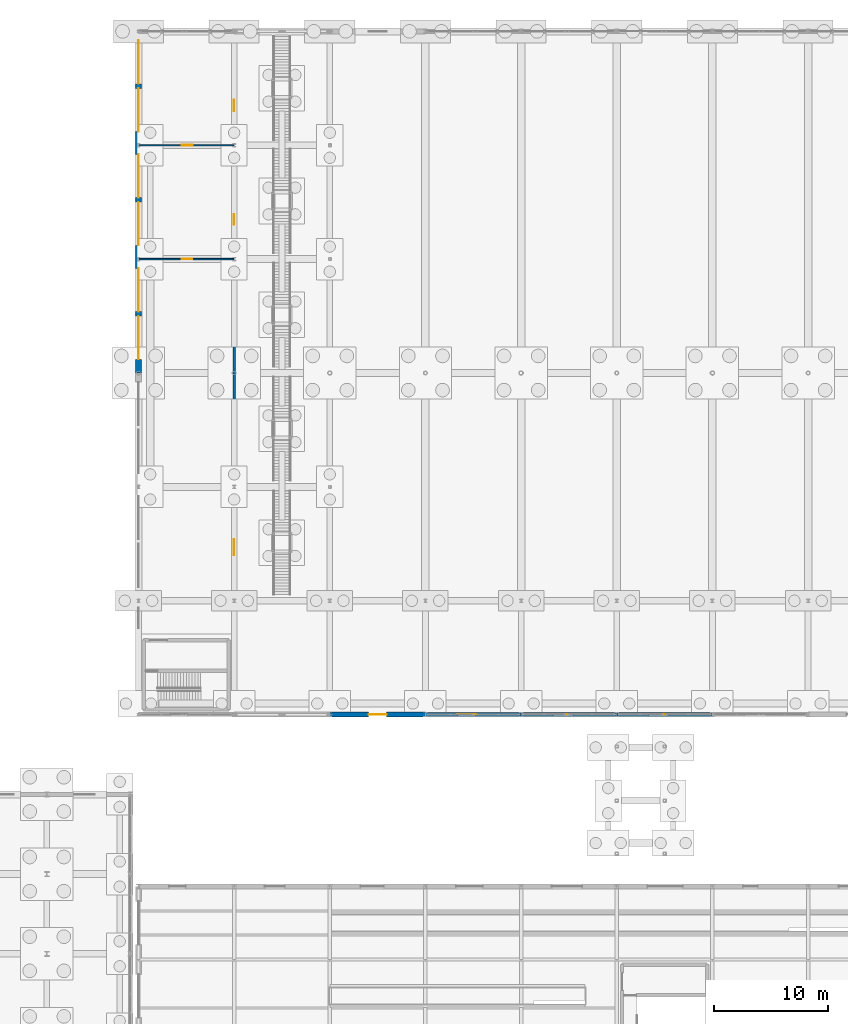
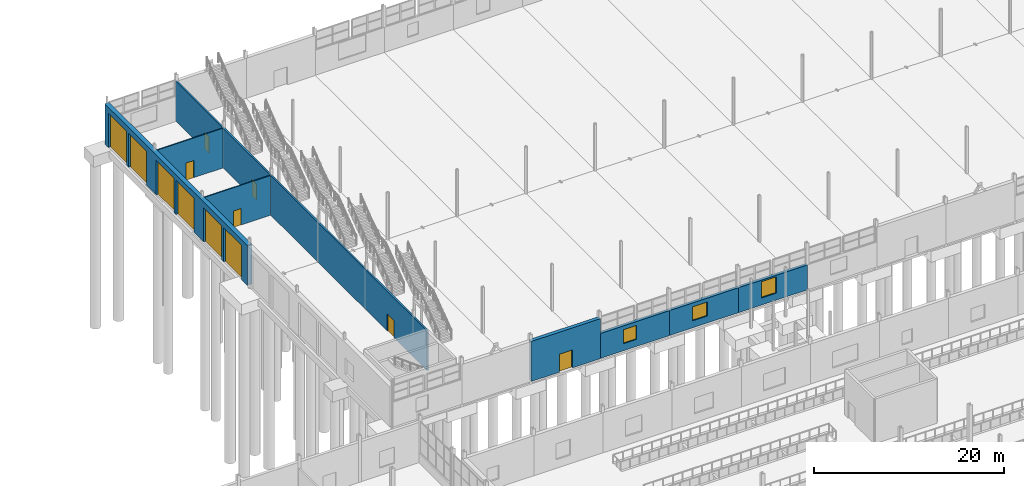
# One storey, part 125 of 139: 12 doors, 8 walls, 3 windows, 15 openings.
"""IFC4 building model written with IfcOpenShell, lengths in metres."""

import ifcopenshell
import ifcopenshell.guid

model = None  # the IFC model being written
_history = None  # IfcOwnerHistory: only IFC2X3 demands one
_inside = {}  # id of a spatial element -> (the spatial element, [elements in it])
_under = {}  # id of a project, library or spatial element -> (it, [spatial elements below it])
_declared = {}  # id of a project -> (the project, [libraries it declares])
_typed = {}  # id of a type object -> (the type object, [elements of that type])
_made_of = {}  # id of a material, layer set ... -> (it, [elements and type objects made of it])


def new_model(schema):
    """Start an empty IFC model of exactly this schema.

    Asked for "IFC4X3", IfcOpenShell would pick the latest addendum, in which some entities
    have other attributes; the version numbers below select the first issue.
    IFC2X3 requires an IfcOwnerHistory on every rooted entity: one is made here for all.
    """
    global model, _history
    if schema == "IFC4X3":
        model = ifcopenshell.file(schema_version=(4, 3, 0, 0))
    else:
        model = ifcopenshell.file(schema=schema)
    _inside.clear()
    _under.clear()
    _declared.clear()
    _typed.clear()
    _made_of.clear()
    _history = None
    if model.schema == "IFC2X3":
        org = make("IfcOrganization", Name="unknown")
        user = make(
            "IfcPersonAndOrganization",
            ThePerson=make("IfcPerson", FamilyName="unknown"),
            TheOrganization=org,
        )
        app = make(
            "IfcApplication",
            ApplicationDeveloper=org,
            Version="unknown",
            ApplicationFullName="unknown",
            ApplicationIdentifier="unknown",
        )
        _history = make(
            "IfcOwnerHistory",
            OwningUser=user,
            OwningApplication=app,
            ChangeAction="ADDED",
            CreationDate=0,
        )
    return model


def make(cls, **values):
    """One entity of the class cls with the attributes given. An attribute that is None is left unset."""
    return model.create_entity(
        cls, **{name: value for name, value in values.items() if value is not None}
    )


def rooted(cls, **values):
    """An entity with a GlobalId (a new one), such as an element, a storey or a relation."""
    return make(cls, GlobalId=ifcopenshell.guid.new(), OwnerHistory=_history, **values)


def si_unit(unit_type, name, prefix=None):
    """IfcSIUnit, for example si_unit("LENGTHUNIT", "METRE", prefix="MILLI")."""
    return make("IfcSIUnit", UnitType=unit_type, Prefix=prefix, Name=name)


def assignment(units):
    """IfcUnitAssignment: the units of a project."""
    return None if units is None else make("IfcUnitAssignment", Units=units)


def point(xyz):
    """IfcCartesianPoint."""
    return None if xyz is None else make("IfcCartesianPoint", Coordinates=xyz)


def direction(xyz):
    """IfcDirection."""
    return None if xyz is None else make("IfcDirection", DirectionRatios=xyz)


def frame(location, z_axis=None, x_axis=None):
    """IfcAxis2Placement3D, a coordinate frame: its origin and axes. An axis left out is left unset."""
    return make(
        "IfcAxis2Placement3D",
        Location=point(location),
        Axis=direction(z_axis),
        RefDirection=direction(x_axis),
    )


def frame_2d(location, x_axis=None):
    """IfcAxis2Placement2D, a coordinate frame in the plane: its origin and x axis."""
    return make(
        "IfcAxis2Placement2D", Location=point(location), RefDirection=direction(x_axis)
    )


def origin():
    """The frame at (0, 0, 0) with its axes left unset."""
    return frame((0.0, 0.0, 0.0))


def place(relative_to, where):
    """IfcLocalPlacement: puts the frame where relative to a parent placement (None: the world)."""
    return make(
        "IfcLocalPlacement", PlacementRelTo=relative_to, RelativePlacement=where
    )


def context(
    kind, dimensions, precision=None, world=None, true_north=None, identifier=None
):
    """IfcGeometricRepresentationContext, for example the 3D "Model" context."""
    return make(
        "IfcGeometricRepresentationContext",
        ContextIdentifier=identifier,
        ContextType=kind,
        CoordinateSpaceDimension=dimensions,
        Precision=precision,
        WorldCoordinateSystem=world,
        TrueNorth=true_north,
    )


def subcontext(parent, identifier, kind, view, scale=None):
    """IfcGeometricRepresentationSubContext, for example "Body" below "Model"."""
    return make(
        "IfcGeometricRepresentationSubContext",
        ContextIdentifier=identifier,
        ContextType=kind,
        ParentContext=parent,
        TargetScale=scale,
        TargetView=view,
    )


def project(units=None, contexts=None):
    """IfcProject with its units and contexts."""
    return rooted(
        "IfcProject",
        Name="project",
        RepresentationContexts=contexts,
        UnitsInContext=assignment(units),
    )


def spatial(cls, under=None, at=None, **own):
    """A site, building, storey or space (cls), placed at a placement, below another one or the project."""
    s = rooted(cls, ObjectPlacement=at, **own)
    if under is not None:
        _under.setdefault(under.id(), (under, []))[1].append(s)
    return s


def profile(cls, at=None, kind="AREA", **sizes):
    """A parametric profile (cls). Its sizes go by their IFC names, for example OverallWidth=200.0."""
    return make(cls, ProfileType=kind, Position=at, **sizes)


def rectangle(**sizes):
    """IfcRectangleProfileDef."""
    return profile("IfcRectangleProfileDef", **sizes)


def extrude(swept, where, along, depth):
    """IfcExtrudedAreaSolid: the profile swept, set in the frame where, extruded along a direction by depth."""
    return make(
        "IfcExtrudedAreaSolid",
        SweptArea=swept,
        Position=where,
        ExtrudedDirection=direction(along),
        Depth=depth,
    )


def shape(context_of_items, identifier, shape_type, items):
    """IfcShapeRepresentation: the items that make up one representation, for example the "Body"."""
    return make(
        "IfcShapeRepresentation",
        ContextOfItems=context_of_items,
        RepresentationIdentifier=identifier,
        RepresentationType=shape_type,
        Items=items,
    )


def material(Name=None, Category=None):
    """IfcMaterial."""
    return make("IfcMaterial", Name=Name, Category=Category)


def layer(
    of_material, thickness, ventilated=None, Name=None, Category=None, Priority=None
):
    """IfcMaterialLayer: one layer of a wall or slab, of a material (None: an air gap)."""
    return make(
        "IfcMaterialLayer",
        Material=of_material,
        LayerThickness=thickness,
        IsVentilated=ventilated,
        Name=Name,
        Category=Category,
        Priority=Priority,
    )


def layer_set(layers, Name=None):
    """IfcMaterialLayerSet."""
    return make("IfcMaterialLayerSet", MaterialLayers=layers, LayerSetName=Name)


def made_of(thing, what):
    """Note that an element or type object is made of a material, layer set ...; save() writes the relation."""
    if what is not None:
        _made_of.setdefault(what.id(), (what, []))[1].append(thing)
    return thing


def type_object(cls, material=None, **own):
    """A type object (cls), such as IfcWallType, which elements share."""
    return made_of(rooted(cls, **own), material)


def element(
    cls,
    number,
    at=None,
    inside=None,
    cuts=None,
    type_object=None,
    material=None,
    context=None,
    identifier="Body",
    shape_type=None,
    held_by="IfcProductDefinitionShape",
    body=None,
    shapes=None,
    **own,
):
    """One element of the class cls, such as IfcWall. Its Tag is "e" and its number.

    at: its placement. inside: the storey or other place that contains it. cuts: it is an
    opening in that element (IfcRelVoidsElement). A single representation is given by context,
    identifier, shape_type and body (its items); several are given by shapes. held_by: the class
    of the entity that holds the representations. save() writes the other relations.
    """
    e = rooted(cls, Tag="e%d" % number, ObjectPlacement=at, **own)
    if body is not None:
        shapes = [shape(context, identifier, shape_type, body)]
    if shapes is not None:
        e.Representation = make(held_by, Representations=shapes)
    if inside is not None:
        _inside.setdefault(inside.id(), (inside, []))[1].append(e)
    if cuts is not None:
        rooted(
            "IfcRelVoidsElement", RelatingBuildingElement=cuts, RelatedOpeningElement=e
        )
    if type_object is not None:
        _typed.setdefault(type_object.id(), (type_object, []))[1].append(e)
    return made_of(e, material)


def fill(opening, filler):
    """IfcRelFillsElement: the door or window that sits in an opening."""
    return rooted(
        "IfcRelFillsElement",
        RelatingOpeningElement=opening,
        RelatedBuildingElement=filler,
    )


def aggregate(whole, parts):
    """IfcRelAggregates: a whole, such as a stair, and the parts it consists of."""
    return rooted("IfcRelAggregates", RelatingObject=whole, RelatedObjects=parts)


def save(model, path):
    """Write the relations noted so far, then the file.

    IfcRelAggregates (storeys below a building ...), IfcRelContainedInSpatialStructure (elements
    in a storey), IfcRelDefinesByType, IfcRelAssociatesMaterial and IfcRelDeclares: one each for
    every whole, place, type object, material and project.
    """
    for whole, parts in _under.values():
        aggregate(whole, parts)
    for where, things in _inside.values():
        rooted(
            "IfcRelContainedInSpatialStructure",
            RelatedElements=things,
            RelatingStructure=where,
        )
    for kind, things in _typed.values():
        rooted("IfcRelDefinesByType", RelatedObjects=things, RelatingType=kind)
    for what, things in _made_of.values():
        rooted("IfcRelAssociatesMaterial", RelatedObjects=things, RelatingMaterial=what)
    for by, libraries in _declared.values():
        rooted("IfcRelDeclares", RelatingContext=by, RelatedDefinitions=libraries)
    model.write(path)


model = new_model("IFC4")

# Units and contexts
model_context = context("Model", 3, precision=1e-05, world=origin(), true_north=direction((0.0, 1.0)))
body_context = subcontext(model_context, "Body", "Model", "MODEL_VIEW")
ifc_project = project(units=[si_unit("LENGTHUNIT", "METRE"), si_unit("AREAUNIT", "SQUARE_METRE"), si_unit("VOLUMEUNIT", "CUBIC_METRE"), si_unit("PLANEANGLEUNIT", "RADIAN"), si_unit("MASSUNIT", "GRAM", prefix="KILO")], contexts=[model_context])

# Site, building, storey
site_placement = place(None, origin())
site = spatial("IfcSite", under=ifc_project, at=site_placement, CompositionType="ELEMENT")
building_placement = place(site_placement, origin())
building = spatial("IfcBuilding", under=site, at=building_placement, Name="Kazenagashi Tramway Depot", CompositionType="ELEMENT")
storey_placement = place(building_placement, origin())
storey = spatial("IfcBuildingStorey", under=building, at=storey_placement, Name="L01", CompositionType="ELEMENT", Elevation=0.0)

# Wall, opening, door
ifc_material_1 = material(Name="Clay Brick Masonry JIS R 1250 Class 1 (20 MPa)", Category="masonry")
ifc_layer_1 = layer(ifc_material_1, 0.43)
ifc_layer_set_1 = layer_set([ifc_layer_1], Name="Clay Brick Masonry JIS R 1250 Class 1 (20 MPa)")
wall_type_1 = type_object("IfcWallType", Name="W-BK1", PredefinedType="SOLIDWALL", material=ifc_layer_set_1)
wall_1_placement = place(storey_placement, frame((61.6, 70.0, 0.0), z_axis=(0.0, 0.0, 1.0), x_axis=(1.0, 0.0, 0.0)))
wall_1 = element("IfcWall", 1, at=wall_1_placement, inside=storey, type_object=wall_type_1, Name="Exterior Brick Wall W-BK1 EWALL-0011", PredefinedType="SOLIDWALL", context=body_context, shape_type="SweptSolid", body=[
    extrude(rectangle(XDim=8.4, YDim=0.43, at=frame_2d((4.2, 0.0))), origin(), (0.0, 0.0, 1.0), 5.14),
])
opening_1_placement = place(wall_1_placement, frame((3.4, 0.0, 0.0)))
opening_1 = element("IfcOpeningElement", 2, at=opening_1_placement, cuts=wall_1, Name="Opening D-001", PredefinedType="OPENING", context=body_context, shape_type="SweptSolid", body=[
    extrude(rectangle(XDim=1.6, YDim=2.3, at=frame_2d((0.8, 1.15))), frame((0.0, 0.225, 0.0), z_axis=(0.0, -1.0, 0.0), x_axis=(1.0, 0.0, 0.0)), (0.0, 0.0, 1.0), 0.45),
])
ifc_material_2 = material(Name="Anodised Aluminium and Laminated Glass", Category="aluminium")
door_type_1 = type_object("IfcDoorType", Name="DT-02", OperationType="NOTDEFINED", PredefinedType="DOOR", material=ifc_material_2)
door_1_placement = place(opening_1_placement, frame((1.6, 0.0, 0.0), z_axis=(0.0, 0.0, 1.0), x_axis=(-1.0, 0.0, 0.0)))
door_1 = element("IfcDoor", 3, at=door_1_placement, inside=storey, type_object=door_type_1, Name="Stabling Shed Pedestrian Final Exit Door D-001", OperationType="DOUBLE_DOOR_SINGLE_SWING", OverallHeight=2.3, OverallWidth=1.6, PredefinedType="DOOR", context=body_context, shape_type="SweptSolid", body=[
    extrude(rectangle(XDim=1.6, YDim=2.3, at=frame_2d((0.8, 1.15))), frame((0.0, 0.025, 0.0), z_axis=(0.0, -1.0, 0.0), x_axis=(1.0, 0.0, 0.0)), (0.0, 0.0, 1.0), 0.05),
])
fill(opening_1, door_1)

# Wall, opening, window
ifc_layer_2 = layer(ifc_material_1, 0.36)
ifc_layer_set_2 = layer_set([ifc_layer_2], Name="Clay Brick Masonry JIS R 1250 Class 1 (20 MPa)")
wall_type_2 = type_object("IfcWallType", Name="W-BK2", PredefinedType="SOLIDWALL", material=ifc_layer_set_2)
wall_2_placement = place(storey_placement, frame((70.0, 70.0, 0.0), z_axis=(0.0, 0.0, 1.0), x_axis=(1.0, 0.0, 0.0)))
wall_2 = element("IfcWall", 4, at=wall_2_placement, inside=storey, type_object=wall_type_2, Name="Exterior Brick Wall W-BK2 EWALL-0012", PredefinedType="SOLIDWALL", context=body_context, shape_type="SweptSolid", body=[
    extrude(rectangle(XDim=8.4, YDim=0.36, at=frame_2d((4.2, 0.0))), origin(), (0.0, 0.0, 1.0), 3.2),
])
opening_2_placement = place(wall_2_placement, frame((2.8, 0.0, 0.9)))
opening_2 = element("IfcOpeningElement", 5, at=opening_2_placement, cuts=wall_2, Name="Opening WN-04", PredefinedType="OPENING", context=body_context, shape_type="SweptSolid", body=[
    extrude(rectangle(XDim=1.6, YDim=1.8, at=frame_2d((0.8, 0.9))), frame((0.0, 0.19, 0.0), z_axis=(0.0, -1.0, 0.0), x_axis=(1.0, 0.0, 0.0)), (0.0, 0.0, 1.0), 0.38),
])
ifc_material_3 = material(Name="Anodised Aluminium and Tempered Low-E Glass", Category="aluminium")
window_type_1 = type_object("IfcWindowType", Name="WN-04", PartitioningType="SINGLE_PANEL", PredefinedType="WINDOW", material=ifc_material_3)
window_1_placement = place(opening_2_placement, origin())
window_1 = element("IfcWindow", 6, at=window_1_placement, inside=storey, type_object=window_type_1, Name="Window WN-04 WIN-0004", OverallHeight=1.8, OverallWidth=1.6, PartitioningType="SINGLE_PANEL", PredefinedType="WINDOW", context=body_context, shape_type="SweptSolid", body=[
    extrude(rectangle(XDim=1.6, YDim=1.8, at=frame_2d((0.8, 0.9))), frame((0.0, 0.03, 0.0), z_axis=(0.0, -1.0, 0.0), x_axis=(1.0, 0.0, 0.0)), (0.0, 0.0, 1.0), 0.06),
])
fill(opening_2, window_1)

wall_3_placement = place(storey_placement, frame((78.4, 70.0, 0.0), z_axis=(0.0, 0.0, 1.0), x_axis=(1.0, 0.0, 0.0)))
wall_3 = element("IfcWall", 7, at=wall_3_placement, inside=storey, type_object=wall_type_2, Name="Exterior Brick Wall W-BK2 EWALL-0013", PredefinedType="SOLIDWALL", context=body_context, shape_type="SweptSolid", body=[
    extrude(rectangle(XDim=8.4, YDim=0.36, at=frame_2d((4.2, 0.0))), origin(), (0.0, 0.0, 1.0), 3.2),
])
opening_3_placement = place(wall_3_placement, frame((2.8, 0.0, 0.9)))
opening_3 = element("IfcOpeningElement", 8, at=opening_3_placement, cuts=wall_3, Name="Opening WN-05", PredefinedType="OPENING", context=body_context, shape_type="SweptSolid", body=[
    extrude(rectangle(XDim=1.8, YDim=1.8, at=frame_2d((0.9, 0.9))), frame((0.0, 0.19, 0.0), z_axis=(0.0, -1.0, 0.0), x_axis=(1.0, 0.0, 0.0)), (0.0, 0.0, 1.0), 0.38),
])
window_type_2 = type_object("IfcWindowType", Name="WN-05", PartitioningType="SINGLE_PANEL", PredefinedType="WINDOW", material=ifc_material_3)
window_2_placement = place(opening_3_placement, origin())
window_2 = element("IfcWindow", 9, at=window_2_placement, inside=storey, type_object=window_type_2, Name="Window WN-05 WIN-0005", OverallHeight=1.8, OverallWidth=1.8, PartitioningType="SINGLE_PANEL", PredefinedType="WINDOW", context=body_context, shape_type="SweptSolid", body=[
    extrude(rectangle(XDim=1.8, YDim=1.8, at=frame_2d((0.9, 0.9))), frame((0.0, 0.03, 0.0), z_axis=(0.0, -1.0, 0.0), x_axis=(1.0, 0.0, 0.0)), (0.0, 0.0, 1.0), 0.06),
])
fill(opening_3, window_2)

wall_4_placement = place(storey_placement, frame((86.8, 70.0, 0.0), z_axis=(0.0, 0.0, 1.0), x_axis=(1.0, 0.0, 0.0)))
wall_4 = element("IfcWall", 10, at=wall_4_placement, inside=storey, type_object=wall_type_2, Name="Exterior Brick Wall W-BK2 EWALL-0014", PredefinedType="SOLIDWALL", context=body_context, shape_type="SweptSolid", body=[
    extrude(rectangle(XDim=8.4, YDim=0.36, at=frame_2d((4.2, 0.0))), origin(), (0.0, 0.0, 1.0), 3.2),
])
opening_4_placement = place(wall_4_placement, frame((2.8, 0.0, 0.9)))
opening_4 = element("IfcOpeningElement", 11, at=opening_4_placement, cuts=wall_4, Name="Opening WN-06", PredefinedType="OPENING", context=body_context, shape_type="SweptSolid", body=[
    extrude(rectangle(XDim=1.8, YDim=2.1, at=frame_2d((0.9, 1.05))), frame((0.0, 0.19, 0.0), z_axis=(0.0, -1.0, 0.0), x_axis=(1.0, 0.0, 0.0)), (0.0, 0.0, 1.0), 0.38),
])
window_type_3 = type_object("IfcWindowType", Name="WN-06", PartitioningType="SINGLE_PANEL", PredefinedType="WINDOW", material=ifc_material_3)
window_3_placement = place(opening_4_placement, origin())
window_3 = element("IfcWindow", 12, at=window_3_placement, inside=storey, type_object=window_type_3, Name="Window WN-06 WIN-0006", OverallHeight=2.1, OverallWidth=1.8, PartitioningType="SINGLE_PANEL", PredefinedType="WINDOW", context=body_context, shape_type="SweptSolid", body=[
    extrude(rectangle(XDim=1.8, YDim=2.1, at=frame_2d((0.9, 1.05))), frame((0.0, 0.03, 0.0), z_axis=(0.0, -1.0, 0.0), x_axis=(1.0, 0.0, 0.0)), (0.0, 0.0, 1.0), 0.06),
])
fill(opening_4, window_3)

# Wall, openings, doors
ifc_material_4 = material(Name="Clinker Brick Masonry JIS R 1250 Class 1 (24 MPa)", Category="masonry")
ifc_layer_3 = layer(ifc_material_4, 0.54)
ifc_layer_set_3 = layer_set([ifc_layer_3], Name="Clinker Brick Masonry JIS R 1250 Class 1 (24 MPa)")
wall_type_3 = type_object("IfcWallType", Name="W-BK4", PredefinedType="SOLIDWALL", material=ifc_layer_set_3)
wall_5_placement = place(storey_placement, frame((44.8, 100.0, 0.0), z_axis=(0.0, 0.0, 1.0), x_axis=(0.0, 1.0, 0.0)))
wall_5 = element("IfcWall", 13, at=wall_5_placement, inside=storey, type_object=wall_type_3, Name="Exterior Brick Wall W-BK4 EWALL-0002", PredefinedType="SOLIDWALL", context=body_context, shape_type="SweptSolid", body=[
    extrude(rectangle(XDim=30.0, YDim=0.54, at=frame_2d((15.0, 0.0))), origin(), (0.0, 0.0, 1.0), 5.14),
])
opening_5_placement = place(wall_5_placement, frame((1.2, 0.0, 0.0)))
opening_5 = element("IfcOpeningElement", 14, at=opening_5_placement, cuts=wall_5, Name="Opening RS-06", PredefinedType="OPENING", context=body_context, shape_type="SweptSolid", body=[
    extrude(rectangle(XDim=3.8, YDim=4.4, at=frame_2d((1.9, 2.2))), frame((0.0, 0.28, 0.0), z_axis=(0.0, -1.0, 0.0), x_axis=(1.0, 0.0, 0.0)), (0.0, 0.0, 1.0), 0.56),
])
opening_6_placement = place(wall_5_placement, frame((5.4, 0.0, 0.0)))
opening_6 = element("IfcOpeningElement", 15, at=opening_6_placement, cuts=wall_5, Name="Opening RS-07", PredefinedType="OPENING", context=body_context, shape_type="SweptSolid", body=[
    extrude(rectangle(XDim=3.8, YDim=4.4, at=frame_2d((1.9, 2.2))), frame((0.0, 0.28, 0.0), z_axis=(0.0, -1.0, 0.0), x_axis=(1.0, 0.0, 0.0)), (0.0, 0.0, 1.0), 0.56),
])
opening_7_placement = place(wall_5_placement, frame((11.2, 0.0, 0.0)))
opening_7 = element("IfcOpeningElement", 16, at=opening_7_placement, cuts=wall_5, Name="Opening RS-08", PredefinedType="OPENING", context=body_context, shape_type="SweptSolid", body=[
    extrude(rectangle(XDim=3.8, YDim=4.4, at=frame_2d((1.9, 2.2))), frame((0.0, 0.28, 0.0), z_axis=(0.0, -1.0, 0.0), x_axis=(1.0, 0.0, 0.0)), (0.0, 0.0, 1.0), 0.56),
])
opening_8_placement = place(wall_5_placement, frame((15.4, 0.0, 0.0)))
opening_8 = element("IfcOpeningElement", 17, at=opening_8_placement, cuts=wall_5, Name="Opening RS-09", PredefinedType="OPENING", context=body_context, shape_type="SweptSolid", body=[
    extrude(rectangle(XDim=3.8, YDim=4.4, at=frame_2d((1.9, 2.2))), frame((0.0, 0.28, 0.0), z_axis=(0.0, -1.0, 0.0), x_axis=(1.0, 0.0, 0.0)), (0.0, 0.0, 1.0), 0.56),
])
opening_9_placement = place(wall_5_placement, frame((21.2, 0.0, 0.0)))
opening_9 = element("IfcOpeningElement", 18, at=opening_9_placement, cuts=wall_5, Name="Opening RS-10", PredefinedType="OPENING", context=body_context, shape_type="SweptSolid", body=[
    extrude(rectangle(XDim=3.8, YDim=4.4, at=frame_2d((1.9, 2.2))), frame((0.0, 0.28, 0.0), z_axis=(0.0, -1.0, 0.0), x_axis=(1.0, 0.0, 0.0)), (0.0, 0.0, 1.0), 0.56),
])
opening_10_placement = place(wall_5_placement, frame((25.4, 0.0, 0.0)))
opening_10 = element("IfcOpeningElement", 19, at=opening_10_placement, cuts=wall_5, Name="Opening RS-11", PredefinedType="OPENING", context=body_context, shape_type="SweptSolid", body=[
    extrude(rectangle(XDim=3.8, YDim=4.4, at=frame_2d((1.9, 2.2))), frame((0.0, 0.28, 0.0), z_axis=(0.0, -1.0, 0.0), x_axis=(1.0, 0.0, 0.0)), (0.0, 0.0, 1.0), 0.56),
])
ifc_material_5 = material(Name="Galvanised Insulated Steel Slats", Category="steel")
door_type_2 = type_object("IfcDoorType", Name="DT-27", OperationType="NOTDEFINED", PredefinedType="DOOR", material=ifc_material_5)
door_2_placement = place(opening_5_placement, origin())
door_2 = element("IfcDoor", 20, at=door_2_placement, inside=storey, type_object=door_type_2, Name="Motorised Vehicle Roller Shutter RS-06", OperationType="ROLLINGUP", OverallHeight=4.4, OverallWidth=3.8, PredefinedType="DOOR", context=body_context, shape_type="SweptSolid", body=[
    extrude(rectangle(XDim=3.8, YDim=4.4, at=frame_2d((1.9, 2.2))), frame((0.0, 0.025, 0.0), z_axis=(0.0, -1.0, 0.0), x_axis=(1.0, 0.0, 0.0)), (0.0, 0.0, 1.0), 0.05),
])
fill(opening_5, door_2)
door_3_placement = place(opening_6_placement, origin())
door_3 = element("IfcDoor", 21, at=door_3_placement, inside=storey, type_object=door_type_2, Name="Motorised Vehicle Roller Shutter RS-07", OperationType="ROLLINGUP", OverallHeight=4.4, OverallWidth=3.8, PredefinedType="DOOR", context=body_context, shape_type="SweptSolid", body=[
    extrude(rectangle(XDim=3.8, YDim=4.4, at=frame_2d((1.9, 2.2))), frame((0.0, 0.025, 0.0), z_axis=(0.0, -1.0, 0.0), x_axis=(1.0, 0.0, 0.0)), (0.0, 0.0, 1.0), 0.05),
])
fill(opening_6, door_3)
door_4_placement = place(opening_7_placement, origin())
door_4 = element("IfcDoor", 22, at=door_4_placement, inside=storey, type_object=door_type_2, Name="Motorised Vehicle Roller Shutter RS-08", OperationType="ROLLINGUP", OverallHeight=4.4, OverallWidth=3.8, PredefinedType="DOOR", context=body_context, shape_type="SweptSolid", body=[
    extrude(rectangle(XDim=3.8, YDim=4.4, at=frame_2d((1.9, 2.2))), frame((0.0, 0.025, 0.0), z_axis=(0.0, -1.0, 0.0), x_axis=(1.0, 0.0, 0.0)), (0.0, 0.0, 1.0), 0.05),
])
fill(opening_7, door_4)
door_5_placement = place(opening_8_placement, origin())
door_5 = element("IfcDoor", 23, at=door_5_placement, inside=storey, type_object=door_type_2, Name="Motorised Vehicle Roller Shutter RS-09", OperationType="ROLLINGUP", OverallHeight=4.4, OverallWidth=3.8, PredefinedType="DOOR", context=body_context, shape_type="SweptSolid", body=[
    extrude(rectangle(XDim=3.8, YDim=4.4, at=frame_2d((1.9, 2.2))), frame((0.0, 0.025, 0.0), z_axis=(0.0, -1.0, 0.0), x_axis=(1.0, 0.0, 0.0)), (0.0, 0.0, 1.0), 0.05),
])
fill(opening_8, door_5)
door_6_placement = place(opening_9_placement, origin())
door_6 = element("IfcDoor", 24, at=door_6_placement, inside=storey, type_object=door_type_2, Name="Motorised Vehicle Roller Shutter RS-10", OperationType="ROLLINGUP", OverallHeight=4.4, OverallWidth=3.8, PredefinedType="DOOR", context=body_context, shape_type="SweptSolid", body=[
    extrude(rectangle(XDim=3.8, YDim=4.4, at=frame_2d((1.9, 2.2))), frame((0.0, 0.025, 0.0), z_axis=(0.0, -1.0, 0.0), x_axis=(1.0, 0.0, 0.0)), (0.0, 0.0, 1.0), 0.05),
])
fill(opening_9, door_6)
door_7_placement = place(opening_10_placement, origin())
door_7 = element("IfcDoor", 25, at=door_7_placement, inside=storey, type_object=door_type_2, Name="Motorised Vehicle Roller Shutter RS-11", OperationType="ROLLINGUP", OverallHeight=4.4, OverallWidth=3.8, PredefinedType="DOOR", context=body_context, shape_type="SweptSolid", body=[
    extrude(rectangle(XDim=3.8, YDim=4.4, at=frame_2d((1.9, 2.2))), frame((0.0, 0.025, 0.0), z_axis=(0.0, -1.0, 0.0), x_axis=(1.0, 0.0, 0.0)), (0.0, 0.0, 1.0), 0.05),
])
fill(opening_10, door_7)

# Wall, opening, door
ifc_material_6 = material(Name="Gypsum Plasterboard Partition", Category="gypsum")
ifc_layer_4 = layer(ifc_material_6, 0.125)
ifc_layer_set_4 = layer_set([ifc_layer_4], Name="Gypsum Plasterboard Partition")
wall_type_4 = type_object("IfcWallType", Name="W-PT2", PredefinedType="PARTITIONING", material=ifc_layer_set_4)
wall_6_placement = place(storey_placement, frame((44.8, 110.0, 0.0), z_axis=(0.0, 0.0, 1.0), x_axis=(1.0, 0.0, 0.0)))
wall_6 = element("IfcWall", 26, at=wall_6_placement, inside=storey, type_object=wall_type_4, Name="Interior Partition W-PT2 IWALL-0247", PredefinedType="PARTITIONING", context=body_context, shape_type="SweptSolid", body=[
    extrude(rectangle(XDim=8.4, YDim=0.125, at=frame_2d((4.2, 0.0))), origin(), (0.0, 0.0, 1.0), 5.1),
])
opening_11_placement = place(wall_6_placement, frame((3.8, 0.0, 0.0)))
opening_11 = element("IfcOpeningElement", 27, at=opening_11_placement, cuts=wall_6, Name="Opening D-144", PredefinedType="OPENING", context=body_context, shape_type="SweptSolid", body=[
    extrude(rectangle(XDim=0.9, YDim=2.1, at=frame_2d((0.45, 1.05))), frame((0.0, 0.0725, 0.0), z_axis=(0.0, -1.0, 0.0), x_axis=(1.0, 0.0, 0.0)), (0.0, 0.0, 1.0), 0.145),
])
ifc_material_7 = material(Name="Powder-Coated Steel Door", Category="steel")
door_type_3 = type_object("IfcDoorType", Name="DT-19", OperationType="NOTDEFINED", PredefinedType="DOOR", material=ifc_material_7)
door_8_placement = place(opening_11_placement, origin())
door_8 = element("IfcDoor", 28, at=door_8_placement, inside=storey, type_object=door_type_3, Name="Interior Door D-144", OperationType="SINGLE_SWING_LEFT", OverallHeight=2.1, OverallWidth=0.9, PredefinedType="DOOR", context=body_context, shape_type="SweptSolid", body=[
    extrude(rectangle(XDim=0.9, YDim=2.1, at=frame_2d((0.45, 1.05))), frame((0.0, 0.025, 0.0), z_axis=(0.0, -1.0, 0.0), x_axis=(1.0, 0.0, 0.0)), (0.0, 0.0, 1.0), 0.05),
])
fill(opening_11, door_8)

wall_7_placement = place(storey_placement, frame((44.8, 120.0, 0.0), z_axis=(0.0, 0.0, 1.0), x_axis=(1.0, 0.0, 0.0)))
wall_7 = element("IfcWall", 29, at=wall_7_placement, inside=storey, type_object=wall_type_4, Name="Interior Partition W-PT2 IWALL-0248", PredefinedType="PARTITIONING", context=body_context, shape_type="SweptSolid", body=[
    extrude(rectangle(XDim=8.4, YDim=0.125, at=frame_2d((4.2, 0.0))), origin(), (0.0, 0.0, 1.0), 5.1),
])
opening_12_placement = place(wall_7_placement, frame((3.8, 0.0, 0.0)))
opening_12 = element("IfcOpeningElement", 30, at=opening_12_placement, cuts=wall_7, Name="Opening D-145", PredefinedType="OPENING", context=body_context, shape_type="SweptSolid", body=[
    extrude(rectangle(XDim=0.95, YDim=2.2, at=frame_2d((0.475, 1.1))), frame((0.0, 0.0725, 0.0), z_axis=(0.0, -1.0, 0.0), x_axis=(1.0, 0.0, 0.0)), (0.0, 0.0, 1.0), 0.145),
])
door_type_4 = type_object("IfcDoorType", Name="DT-20", OperationType="NOTDEFINED", PredefinedType="DOOR", material=ifc_material_7)
door_9_placement = place(opening_12_placement, origin())
door_9 = element("IfcDoor", 31, at=door_9_placement, inside=storey, type_object=door_type_4, Name="Interior Door D-145", OperationType="SINGLE_SWING_RIGHT", OverallHeight=2.2, OverallWidth=0.95, PredefinedType="DOOR", context=body_context, shape_type="SweptSolid", body=[
    extrude(rectangle(XDim=0.95, YDim=2.2, at=frame_2d((0.475, 1.1))), frame((0.0, 0.025, 0.0), z_axis=(0.0, -1.0, 0.0), x_axis=(1.0, 0.0, 0.0)), (0.0, 0.0, 1.0), 0.05),
])
fill(opening_12, door_9)

# Wall, openings, doors
ifc_layer_5 = layer(ifc_material_6, 0.2)
ifc_layer_set_5 = layer_set([ifc_layer_5], Name="Gypsum Plasterboard Partition")
wall_type_5 = type_object("IfcWallType", Name="W-PT5", PredefinedType="PARTITIONING", material=ifc_layer_set_5)
wall_8_placement = place(storey_placement, frame((53.2, 77.0, 0.0), z_axis=(0.0, 0.0, 1.0), x_axis=(0.0, 1.0, 0.0)))
wall_8 = element("IfcWall", 32, at=wall_8_placement, inside=storey, type_object=wall_type_5, Name="Interior Partition W-PT5 IWALL-0246", PredefinedType="PARTITIONING", context=body_context, shape_type="SweptSolid", body=[
    extrude(rectangle(XDim=53.0, YDim=0.2, at=frame_2d((26.5, 0.0))), origin(), (0.0, 0.0, 1.0), 5.1),
])
opening_13_placement = place(wall_8_placement, frame((7.0, 0.0, 0.0)))
opening_13 = element("IfcOpeningElement", 33, at=opening_13_placement, cuts=wall_8, Name="Opening D-141", PredefinedType="OPENING", context=body_context, shape_type="SweptSolid", body=[
    extrude(rectangle(XDim=1.4, YDim=2.2, at=frame_2d((0.7, 1.1))), frame((0.0, 0.11, 0.0), z_axis=(0.0, -1.0, 0.0), x_axis=(1.0, 0.0, 0.0)), (0.0, 0.0, 1.0), 0.22),
])
opening_14_placement = place(wall_8_placement, frame((36.0, 0.0, 0.0)))
opening_14 = element("IfcOpeningElement", 34, at=opening_14_placement, cuts=wall_8, Name="Opening D-142", PredefinedType="OPENING", context=body_context, shape_type="SweptSolid", body=[
    extrude(rectangle(XDim=0.95, YDim=2.1, at=frame_2d((0.475, 1.05))), frame((0.0, 0.11, 0.0), z_axis=(0.0, -1.0, 0.0), x_axis=(1.0, 0.0, 0.0)), (0.0, 0.0, 1.0), 0.22),
])
opening_15_placement = place(wall_8_placement, frame((46.0, 0.0, 0.0)))
opening_15 = element("IfcOpeningElement", 35, at=opening_15_placement, cuts=wall_8, Name="Opening D-143", PredefinedType="OPENING", context=body_context, shape_type="SweptSolid", body=[
    extrude(rectangle(XDim=1.0, YDim=2.1, at=frame_2d((0.5, 1.05))), frame((0.0, 0.11, 0.0), z_axis=(0.0, -1.0, 0.0), x_axis=(1.0, 0.0, 0.0)), (0.0, 0.0, 1.0), 0.22),
])
door_type_5 = type_object("IfcDoorType", Name="DT-09", OperationType="NOTDEFINED", PredefinedType="DOOR", material=ifc_material_7)
door_10_placement = place(opening_14_placement, origin())
door_10 = element("IfcDoor", 36, at=door_10_placement, inside=storey, type_object=door_type_5, Name="Interior Door D-142", OperationType="SINGLE_SWING_LEFT", OverallHeight=2.1, OverallWidth=0.95, PredefinedType="DOOR", context=body_context, shape_type="SweptSolid", body=[
    extrude(rectangle(XDim=0.95, YDim=2.1, at=frame_2d((0.475, 1.05))), frame((0.0, 0.025, 0.0), z_axis=(0.0, -1.0, 0.0), x_axis=(1.0, 0.0, 0.0)), (0.0, 0.0, 1.0), 0.05),
])
fill(opening_14, door_10)
door_type_6 = type_object("IfcDoorType", Name="DT-10", OperationType="NOTDEFINED", PredefinedType="DOOR", material=ifc_material_7)
door_11_placement = place(opening_15_placement, origin())
door_11 = element("IfcDoor", 37, at=door_11_placement, inside=storey, type_object=door_type_6, Name="Interior Door D-143", OperationType="SINGLE_SWING_RIGHT", OverallHeight=2.1, OverallWidth=1.0, PredefinedType="DOOR", context=body_context, shape_type="SweptSolid", body=[
    extrude(rectangle(XDim=1.0, YDim=2.1, at=frame_2d((0.5, 1.05))), frame((0.0, 0.025, 0.0), z_axis=(0.0, -1.0, 0.0), x_axis=(1.0, 0.0, 0.0)), (0.0, 0.0, 1.0), 0.05),
])
fill(opening_15, door_11)
door_type_7 = type_object("IfcDoorType", Name="DT-16", OperationType="NOTDEFINED", PredefinedType="DOOR", material=ifc_material_7)
door_12_placement = place(opening_13_placement, origin())
door_12 = element("IfcDoor", 38, at=door_12_placement, inside=storey, type_object=door_type_7, Name="Interior Door D-141", OperationType="DOUBLE_DOOR_SINGLE_SWING", OverallHeight=2.2, OverallWidth=1.4, PredefinedType="DOOR", context=body_context, shape_type="SweptSolid", body=[
    extrude(rectangle(XDim=1.4, YDim=2.2, at=frame_2d((0.7, 1.1))), frame((0.0, 0.025, 0.0), z_axis=(0.0, -1.0, 0.0), x_axis=(1.0, 0.0, 0.0)), (0.0, 0.0, 1.0), 0.05),
])
fill(opening_13, door_12)

save(model, "model.ifc")
